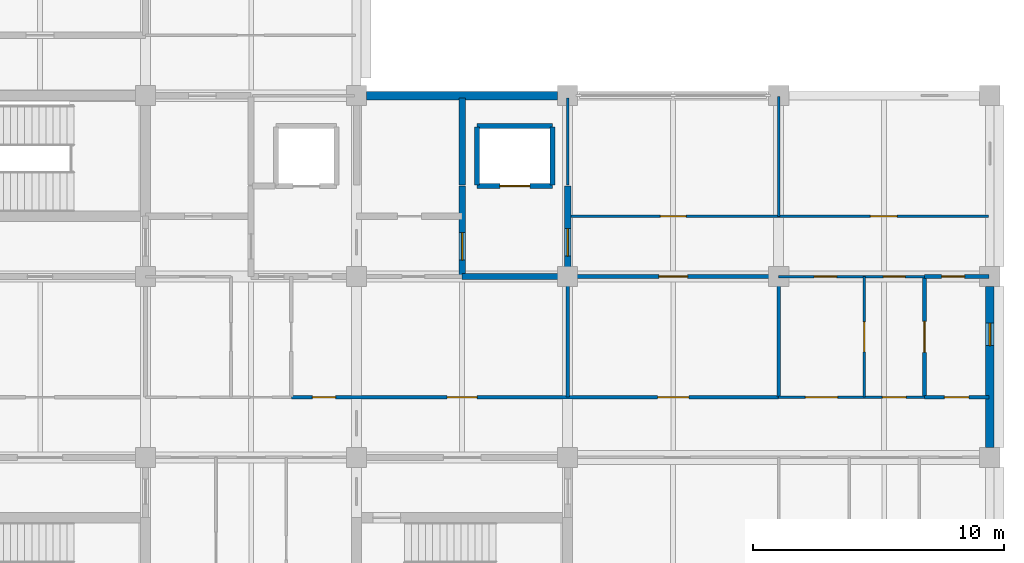
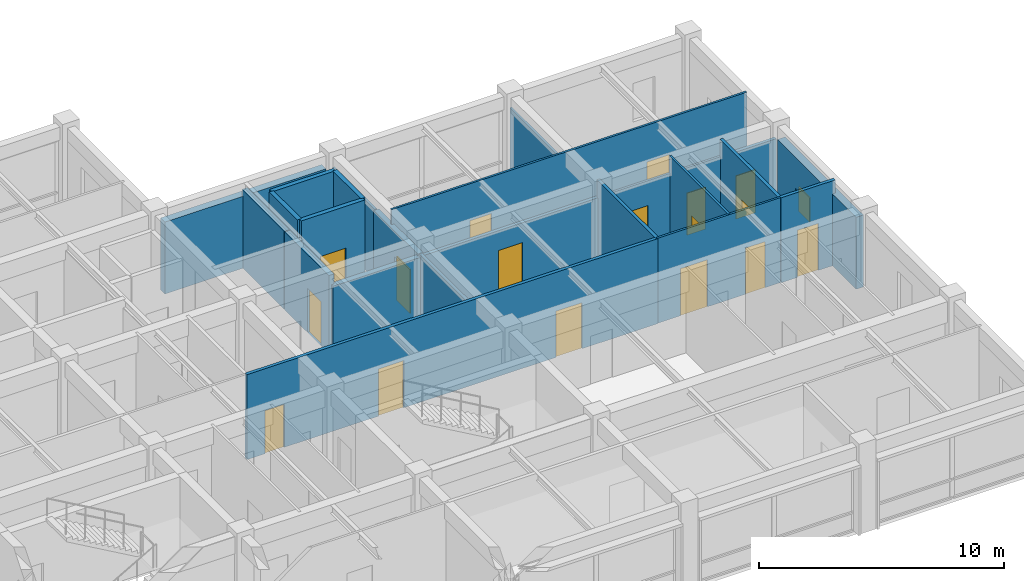
# One storey, part 25 of 30: 23 walls, 17 doors, 1 window, 18 openings.
"""IFC4 building model written with IfcOpenShell, lengths in metres."""

from ifc_helpers import new_model, si_unit, direction, frame, frame_2d, origin, place, context, subcontext, project, spatial, rectangle, extrude, material, layer, layer_set, type_object, element, fill, save


model = new_model("IFC4")

# Units and contexts
model_context = context("Model", 3, precision=1e-05, world=origin(), true_north=direction((0.0, 1.0)))
body_context = subcontext(model_context, "Body", "Model", "MODEL_VIEW")
ifc_project = project(units=[si_unit("LENGTHUNIT", "METRE"), si_unit("AREAUNIT", "SQUARE_METRE"), si_unit("VOLUMEUNIT", "CUBIC_METRE"), si_unit("PLANEANGLEUNIT", "RADIAN"), si_unit("MASSUNIT", "GRAM", prefix="KILO")], contexts=[model_context])

# Site, building, storey
site_placement = place(None, origin())
site = spatial("IfcSite", under=ifc_project, at=site_placement, CompositionType="ELEMENT")
building_placement = place(site_placement, origin())
building = spatial("IfcBuilding", under=site, at=building_placement, Name="Chengyuan Square Courthouse", CompositionType="ELEMENT")
storey_placement = place(building_placement, frame((0.0, 0.0, 26.10009765625)))
storey = spatial("IfcBuildingStorey", under=building, at=storey_placement, Name="L06", CompositionType="ELEMENT", Elevation=26.10009765625)

# Wall
ifc_material_1 = material(Name="Concrete C40", Category="concrete")
ifc_layer_1 = layer(ifc_material_1, 0.35009765625)
ifc_layer_set_1 = layer_set([ifc_layer_1], Name="Concrete C40")
wall_type_1 = type_object("IfcWallType", Name="WL-EW2", PredefinedType="STANDARD", material=ifc_layer_set_1)
wall_1_placement = place(storey_placement, frame((117.9951171875, 108.0, 0.0), z_axis=(0.0, 0.0, 1.0), x_axis=(1.0, 0.0, 0.0)))
element("IfcWall", 1, at=wall_1_placement, inside=storey, type_object=wall_type_1, Name="Exterior Wall WL-L06-E371", PredefinedType="STANDARD", context=body_context, shape_type="SweptSolid", body=[
    extrude(rectangle(XDim=7.60986328125, YDim=0.35009765625, at=frame_2d((3.804931640625, 0.0))), origin(), (0.0, 0.0, 1.0), 3.58984375),
])

# Wall, opening, window
wall_2_placement = place(storey_placement, frame((142.800048828125, 93.9951171875, 0.0), z_axis=(0.0, 0.0, 1.0), x_axis=(0.0, 1.0, 0.0)))
wall_2 = element("IfcWall", 2, at=wall_2_placement, inside=storey, type_object=wall_type_1, Name="Exterior Wall WL-L06-E374", PredefinedType="STANDARD", context=body_context, shape_type="SweptSolid", body=[
    extrude(rectangle(XDim=6.409912109375, YDim=0.35009765625, at=frame_2d((3.205078125, 0.0))), origin(), (0.0, 0.0, 1.0), 3.58984375),
])
opening_1_placement = place(wall_2_placement, frame((4.054931640625, 0.0, 0.85009765625)))
opening_1 = element("IfcOpeningElement", 3, at=opening_1_placement, cuts=wall_2, Name="Opening WN-136", PredefinedType="OPENING", context=body_context, shape_type="SweptSolid", body=[
    extrude(rectangle(XDim=0.89990234375, YDim=1.199951171875, at=frame_2d((0.449951171875, 0.60009765625))), frame((0.0, 0.18701171875, 0.0), z_axis=(0.0, -1.0, 0.0), x_axis=(1.0, 0.0, 0.0)), (0.0, 0.0, 1.0), 0.3740234375),
])
ifc_material_2 = material(Name="Thermally Broken Aluminium Triple Low-E Window", Category="aluminium")
window_type = type_object("IfcWindowType", Name="WT-01", PartitioningType="SINGLE_PANEL", PredefinedType="WINDOW", material=ifc_material_2)
window_placement = place(opening_1_placement, origin())
window = element("IfcWindow", 4, at=window_placement, inside=storey, type_object=window_type, Name="Facade Window WN-136", OverallHeight=1.199951171875, OverallWidth=0.89990234375, PartitioningType="SINGLE_PANEL", PredefinedType="WINDOW", context=body_context, shape_type="SweptSolid", body=[
    extrude(rectangle(XDim=0.89990234375, YDim=1.199951171875, at=frame_2d((0.449951171875, 0.60009765625))), frame((0.0, 0.030029296875, 0.0), z_axis=(0.0, -1.0, 0.0), x_axis=(1.0, 0.0, 0.0)), (0.0, 0.0, 1.0), 0.06005859375),
])
fill(opening_1, window)

# Wall
ifc_layer_2 = layer(ifc_material_1, 0.25)
ifc_layer_set_2 = layer_set([ifc_layer_2], Name="Concrete C40")
wall_type_2 = type_object("IfcWallType", Name="WL-FW1", PredefinedType="STANDARD", material=ifc_layer_set_2)
wall_3_placement = place(storey_placement, frame((121.800048828125, 100.800048828125, 0.0), z_axis=(0.0, 0.0, 1.0), x_axis=(1.0, 0.0, 0.0)))
element("IfcWall", 5, at=wall_3_placement, inside=storey, type_object=wall_type_2, Name="Interior Wall WL-L06-I2425", PredefinedType="STANDARD", context=body_context, shape_type="SweptSolid", body=[
    extrude(rectangle(XDim=4.199951171875, YDim=0.25, at=frame_2d((2.10009765625, 0.0))), origin(), (0.0, 0.0, 1.0), 3.389892578125),
])

# Wall, opening, door
wall_4_placement = place(storey_placement, frame((121.800048828125, 100.800048828125, 0.0), z_axis=(0.0, 0.0, 1.0), x_axis=(0.0, 1.0, 0.0)))
wall_4 = element("IfcWall", 6, at=wall_4_placement, inside=storey, type_object=wall_type_2, Name="Interior Wall WL-L06-I2599", PredefinedType="STANDARD", context=body_context, shape_type="SweptSolid", body=[
    extrude(rectangle(XDim=3.599853515625, YDim=0.25, at=frame_2d((1.7998046875, 0.0))), origin(), (0.0, 0.0, 1.0), 3.889892578125),
])
opening_2_placement = place(wall_4_placement, frame((0.64990234375, 0.0, 0.0)))
opening_2 = element("IfcOpeningElement", 7, at=opening_2_placement, cuts=wall_4, Name="Opening DR-2151", PredefinedType="OPENING", context=body_context, shape_type="SweptSolid", body=[
    extrude(rectangle(XDim=1.10009765625, YDim=2.199951171875, at=frame_2d((0.550048828125, 1.10009765625))), frame((0.0, 0.136962890625, 0.0), z_axis=(0.0, -1.0, 0.0), x_axis=(1.0, 0.0, 0.0)), (0.0, 0.0, 1.0), 0.27392578125),
])
ifc_material_3 = material(Name="Steel Q235B Fire Door", Category="steel")
door_type_1 = type_object("IfcDoorType", Name="DT-10", OperationType="NOTDEFINED", PredefinedType="DOOR", material=ifc_material_3)
door_1_placement = place(opening_2_placement, origin())
door_1 = element("IfcDoor", 8, at=door_1_placement, inside=storey, type_object=door_type_1, Name="Interior Door DR-2151", OperationType="SINGLE_SWING_LEFT", OverallHeight=2.199951171875, OverallWidth=1.10009765625, PredefinedType="DOOR", context=body_context, shape_type="SweptSolid", body=[
    extrude(rectangle(XDim=1.10009765625, YDim=2.199951171875, at=frame_2d((0.550048828125, 1.10009765625))), frame((0.0, 0.02490234375, 0.0), z_axis=(0.0, -1.0, 0.0), x_axis=(1.0, 0.0, 0.0)), (0.0, 0.0, 1.0), 0.050048828125),
])
fill(opening_2, door_1)

# Wall
wall_5_placement = place(storey_placement, frame((121.800048828125, 104.449951171875, 0.0), z_axis=(0.0, 0.0, 1.0), x_axis=(0.0, 1.0, 0.0)))
element("IfcWall", 9, at=wall_5_placement, inside=storey, type_object=wall_type_2, Name="Interior Wall WL-L06-I2600", PredefinedType="STANDARD", context=body_context, shape_type="SweptSolid", body=[
    extrude(rectangle(XDim=3.4599609375, YDim=0.25, at=frame_2d((1.72998046875, 0.0))), origin(), (0.0, 0.0, 1.0), 3.889892578125),
])

# Wall, opening, door
wall_6_placement = place(storey_placement, frame((126.0, 100.800048828125, 0.0), z_axis=(0.0, 0.0, 1.0), x_axis=(0.0, 1.0, 0.0)))
wall_6 = element("IfcWall", 10, at=wall_6_placement, inside=storey, type_object=wall_type_2, Name="Interior Wall WL-L06-I2606", PredefinedType="STANDARD", context=body_context, shape_type="SweptSolid", body=[
    extrude(rectangle(XDim=3.599853515625, YDim=0.25, at=frame_2d((1.7998046875, 0.0))), origin(), (0.0, 0.0, 1.0), 3.489990234375),
])
opening_3_placement = place(wall_6_placement, frame((0.81005859375, 0.0, 0.0)))
opening_3 = element("IfcOpeningElement", 11, at=opening_3_placement, cuts=wall_6, Name="Opening DR-2154", PredefinedType="OPENING", context=body_context, shape_type="SweptSolid", body=[
    extrude(rectangle(XDim=1.10009765625, YDim=2.199951171875, at=frame_2d((0.550048828125, 1.10009765625))), frame((0.0, 0.136962890625, 0.0), z_axis=(0.0, -1.0, 0.0), x_axis=(1.0, 0.0, 0.0)), (0.0, 0.0, 1.0), 0.27392578125),
])
door_2_placement = place(opening_3_placement, origin())
door_2 = element("IfcDoor", 12, at=door_2_placement, inside=storey, type_object=door_type_1, Name="Interior Door DR-2154", OperationType="SINGLE_SWING_RIGHT", OverallHeight=2.199951171875, OverallWidth=1.10009765625, PredefinedType="DOOR", context=body_context, shape_type="SweptSolid", body=[
    extrude(rectangle(XDim=1.10009765625, YDim=2.199951171875, at=frame_2d((0.550048828125, 1.10009765625))), frame((0.0, 0.02490234375, 0.0), z_axis=(0.0, -1.0, 0.0), x_axis=(1.0, 0.0, 0.0)), (0.0, 0.0, 1.0), 0.050048828125),
])
fill(opening_3, door_2)

# Wall, openings, doors
ifc_material_4 = material(Name="Deliberation Room Sound-Insulated Partition")
ifc_layer_3 = layer(ifc_material_4, 0.14990234375)
ifc_layer_set_3 = layer_set([ifc_layer_3], Name="Deliberation Room Sound-Insulated Partition")
wall_type_3 = type_object("IfcWallType", Name="WL-PT3", PredefinedType="STANDARD", material=ifc_layer_set_3)
wall_7_placement = place(storey_placement, frame((115.0, 96.0, 0.0), z_axis=(0.0, 0.0, 1.0), x_axis=(1.0, 0.0, 0.0)))
wall_7 = element("IfcWall", 13, at=wall_7_placement, inside=storey, type_object=wall_type_3, Name="Interior Wall WL-L06-I2407", PredefinedType="STANDARD", context=body_context, shape_type="SweptSolid", body=[
    extrude(rectangle(XDim=19.39990234375, YDim=0.14990234375, at=frame_2d((9.699951171875, 0.0))), origin(), (0.0, 0.0, 1.0), 4.239990234375),
])
opening_4_placement = place(wall_7_placement, frame((0.840087890625, 0.0, 0.0)))
opening_4 = element("IfcOpeningElement", 14, at=opening_4_placement, cuts=wall_7, Name="Opening DR-2223", PredefinedType="OPENING", context=body_context, shape_type="SweptSolid", body=[
    extrude(rectangle(XDim=0.919921875, YDim=2.14990234375, at=frame_2d((0.4599609375, 1.074951171875))), frame((0.0, 0.0869140625, 0.0), z_axis=(0.0, -1.0, 0.0), x_axis=(1.0, 0.0, 0.0)), (0.0, 0.0, 1.0), 0.173828125),
])
opening_5_placement = place(wall_7_placement, frame((6.199951171875, 0.0, 0.0)))
opening_5 = element("IfcOpeningElement", 15, at=opening_5_placement, cuts=wall_7, Name="Opening DR-2230", PredefinedType="OPENING", context=body_context, shape_type="SweptSolid", body=[
    extrude(rectangle(XDim=1.199951171875, YDim=2.35009765625, at=frame_2d((0.60009765625, 1.175048828125))), frame((0.0, 0.0869140625, 0.0), z_axis=(0.0, -1.0, 0.0), x_axis=(1.0, 0.0, 0.0)), (0.0, 0.0, 1.0), 0.173828125),
])
opening_6_placement = place(wall_7_placement, frame((14.580078125, 0.0, 0.0)))
opening_6 = element("IfcOpeningElement", 16, at=opening_6_placement, cuts=wall_7, Name="Opening DR-2231", PredefinedType="OPENING", context=body_context, shape_type="SweptSolid", body=[
    extrude(rectangle(XDim=1.239990234375, YDim=2.300048828125, at=frame_2d((0.6201171875, 1.14990234375))), frame((0.0, 0.0869140625, 0.0), z_axis=(0.0, -1.0, 0.0), x_axis=(1.0, 0.0, 0.0)), (0.0, 0.0, 1.0), 0.173828125),
])
ifc_material_5 = material(Name="Acoustic Solid-Core Timber Door", Category="wood")
door_type_2 = type_object("IfcDoorType", Name="DT-29", OperationType="NOTDEFINED", PredefinedType="DOOR", material=ifc_material_5)
door_3_placement = place(opening_4_placement, origin())
door_3 = element("IfcDoor", 17, at=door_3_placement, inside=storey, type_object=door_type_2, Name="Interior Door DR-2223", OperationType="SINGLE_SWING_RIGHT", OverallHeight=2.14990234375, OverallWidth=0.919921875, PredefinedType="DOOR", context=body_context, shape_type="SweptSolid", body=[
    extrude(rectangle(XDim=0.919921875, YDim=2.14990234375, at=frame_2d((0.4599609375, 1.074951171875))), frame((0.0, 0.02490234375, 0.0), z_axis=(0.0, -1.0, 0.0), x_axis=(1.0, 0.0, 0.0)), (0.0, 0.0, 1.0), 0.050048828125),
])
fill(opening_4, door_3)
door_type_3 = type_object("IfcDoorType", Name="DT-36", OperationType="NOTDEFINED", PredefinedType="DOOR", material=ifc_material_5)
door_4_placement = place(opening_5_placement, origin())
door_4 = element("IfcDoor", 18, at=door_4_placement, inside=storey, type_object=door_type_3, Name="Interior Door DR-2230", OperationType="SINGLE_SWING_LEFT", OverallHeight=2.35009765625, OverallWidth=1.199951171875, PredefinedType="DOOR", context=body_context, shape_type="SweptSolid", body=[
    extrude(rectangle(XDim=1.199951171875, YDim=2.35009765625, at=frame_2d((0.60009765625, 1.175048828125))), frame((0.0, 0.02490234375, 0.0), z_axis=(0.0, -1.0, 0.0), x_axis=(1.0, 0.0, 0.0)), (0.0, 0.0, 1.0), 0.050048828125),
])
fill(opening_5, door_4)
door_type_4 = type_object("IfcDoorType", Name="DT-37", OperationType="NOTDEFINED", PredefinedType="DOOR", material=ifc_material_5)
door_5_placement = place(opening_6_placement, origin())
door_5 = element("IfcDoor", 19, at=door_5_placement, inside=storey, type_object=door_type_4, Name="Interior Door DR-2231", OperationType="SINGLE_SWING_RIGHT", OverallHeight=2.300048828125, OverallWidth=1.239990234375, PredefinedType="DOOR", context=body_context, shape_type="SweptSolid", body=[
    extrude(rectangle(XDim=1.239990234375, YDim=2.300048828125, at=frame_2d((0.6201171875, 1.14990234375))), frame((0.0, 0.02490234375, 0.0), z_axis=(0.0, -1.0, 0.0), x_axis=(1.0, 0.0, 0.0)), (0.0, 0.0, 1.0), 0.050048828125),
])
fill(opening_6, door_5)

# Wall, opening, door
wall_8_placement = place(storey_placement, frame((140.199951171875, 96.0, 0.0), z_axis=(0.0, 0.0, 1.0), x_axis=(1.0, 0.0, 0.0)))
wall_8 = element("IfcWall", 20, at=wall_8_placement, inside=storey, type_object=wall_type_3, Name="Interior Wall WL-L06-I2409", PredefinedType="STANDARD", context=body_context, shape_type="SweptSolid", body=[
    extrude(rectangle(XDim=2.56005859375, YDim=0.14990234375, at=frame_2d((1.280029296875, 0.0))), origin(), (0.0, 0.0, 1.0), 4.239990234375),
])
opening_7_placement = place(wall_8_placement, frame((0.7900390625, 0.0, 0.0)))
opening_7 = element("IfcOpeningElement", 21, at=opening_7_placement, cuts=wall_8, Name="Opening DR-2234", PredefinedType="OPENING", context=body_context, shape_type="SweptSolid", body=[
    extrude(rectangle(XDim=0.97998046875, YDim=2.35009765625, at=frame_2d((0.489990234375, 1.175048828125))), frame((0.0, 0.0869140625, 0.0), z_axis=(0.0, -1.0, 0.0), x_axis=(1.0, 0.0, 0.0)), (0.0, 0.0, 1.0), 0.173828125),
])
door_type_5 = type_object("IfcDoorType", Name="DT-40", OperationType="NOTDEFINED", PredefinedType="DOOR", material=ifc_material_5)
door_6_placement = place(opening_7_placement, origin())
door_6 = element("IfcDoor", 22, at=door_6_placement, inside=storey, type_object=door_type_5, Name="Interior Door DR-2234", OperationType="SINGLE_SWING_LEFT", OverallHeight=2.35009765625, OverallWidth=0.97998046875, PredefinedType="DOOR", context=body_context, shape_type="SweptSolid", body=[
    extrude(rectangle(XDim=0.97998046875, YDim=2.35009765625, at=frame_2d((0.489990234375, 1.175048828125))), frame((0.0, 0.02490234375, 0.0), z_axis=(0.0, -1.0, 0.0), x_axis=(1.0, 0.0, 0.0)), (0.0, 0.0, 1.0), 0.050048828125),
])
fill(opening_7, door_6)

wall_9_placement = place(storey_placement, frame((126.0, 100.800048828125, 0.0), z_axis=(0.0, 0.0, 1.0), x_axis=(1.0, 0.0, 0.0)))
wall_9 = element("IfcWall", 23, at=wall_9_placement, inside=storey, type_object=wall_type_3, Name="Interior Wall WL-L06-I2426", PredefinedType="STANDARD", context=body_context, shape_type="SweptSolid", body=[
    extrude(rectangle(XDim=8.39990234375, YDim=0.14990234375, at=frame_2d((4.199951171875, 0.0))), origin(), (0.0, 0.0, 1.0), 3.389892578125),
])
opening_8_placement = place(wall_9_placement, frame((3.6298828125, 0.0, 0.0)))
opening_8 = element("IfcOpeningElement", 24, at=opening_8_placement, cuts=wall_9, Name="Opening DR-2186", PredefinedType="OPENING", context=body_context, shape_type="SweptSolid", body=[
    extrude(rectangle(XDim=1.139892578125, YDim=2.39990234375, at=frame_2d((0.56982421875, 1.199951171875))), frame((0.0, 0.0869140625, 0.0), z_axis=(0.0, -1.0, 0.0), x_axis=(1.0, 0.0, 0.0)), (0.0, 0.0, 1.0), 0.173828125),
])
door_type_6 = type_object("IfcDoorType", Name="DT-43", OperationType="NOTDEFINED", PredefinedType="DOOR", material=ifc_material_5)
door_7_placement = place(opening_8_placement, origin())
door_7 = element("IfcDoor", 25, at=door_7_placement, inside=storey, type_object=door_type_6, Name="Interior Door DR-2186", OperationType="SINGLE_SWING_LEFT", OverallHeight=2.39990234375, OverallWidth=1.139892578125, PredefinedType="DOOR", context=body_context, shape_type="SweptSolid", body=[
    extrude(rectangle(XDim=1.139892578125, YDim=2.39990234375, at=frame_2d((0.56982421875, 1.199951171875))), frame((0.0, 0.02490234375, 0.0), z_axis=(0.0, -1.0, 0.0), x_axis=(1.0, 0.0, 0.0)), (0.0, 0.0, 1.0), 0.050048828125),
])
fill(opening_8, door_7)

wall_10_placement = place(storey_placement, frame((140.199951171875, 100.800048828125, 0.0), z_axis=(0.0, 0.0, 1.0), x_axis=(1.0, 0.0, 0.0)))
wall_10 = element("IfcWall", 26, at=wall_10_placement, inside=storey, type_object=wall_type_3, Name="Interior Wall WL-L06-I2428", PredefinedType="STANDARD", context=body_context, shape_type="SweptSolid", body=[
    extrude(rectangle(XDim=2.56005859375, YDim=0.14990234375, at=frame_2d((1.280029296875, 0.0))), origin(), (0.0, 0.0, 1.0), 3.389892578125),
])
opening_9_placement = place(wall_10_placement, frame((0.679931640625, 0.0, 0.0)))
opening_9 = element("IfcOpeningElement", 27, at=opening_9_placement, cuts=wall_10, Name="Opening DR-2189", PredefinedType="OPENING", context=body_context, shape_type="SweptSolid", body=[
    extrude(rectangle(XDim=0.919921875, YDim=2.14990234375, at=frame_2d((0.4599609375, 1.074951171875))), frame((0.0, 0.0869140625, 0.0), z_axis=(0.0, -1.0, 0.0), x_axis=(1.0, 0.0, 0.0)), (0.0, 0.0, 1.0), 0.173828125),
])
door_8_placement = place(opening_9_placement, origin())
door_8 = element("IfcDoor", 28, at=door_8_placement, inside=storey, type_object=door_type_2, Name="Interior Door DR-2189", OperationType="SINGLE_SWING_RIGHT", OverallHeight=2.14990234375, OverallWidth=0.919921875, PredefinedType="DOOR", context=body_context, shape_type="SweptSolid", body=[
    extrude(rectangle(XDim=0.919921875, YDim=2.14990234375, at=frame_2d((0.4599609375, 1.074951171875))), frame((0.0, 0.02490234375, 0.0), z_axis=(0.0, -1.0, 0.0), x_axis=(1.0, 0.0, 0.0)), (0.0, 0.0, 1.0), 0.050048828125),
])
fill(opening_9, door_8)

# Walls
wall_11_placement = place(storey_placement, frame((126.0, 96.0, 0.0), z_axis=(0.0, 0.0, 1.0), x_axis=(0.0, 1.0, 0.0)))
element("IfcWall", 29, at=wall_11_placement, inside=storey, type_object=wall_type_3, Name="Interior Wall WL-L06-I2605", PredefinedType="STANDARD", context=body_context, shape_type="SweptSolid", body=[
    extrude(rectangle(XDim=4.800048828125, YDim=0.14990234375, at=frame_2d((2.39990234375, 0.0))), origin(), (0.0, 0.0, 1.0), 3.489990234375),
])
wall_12_placement = place(storey_placement, frame((134.39990234375, 96.0, 0.0), z_axis=(0.0, 0.0, 1.0), x_axis=(0.0, 1.0, 0.0)))
element("IfcWall", 30, at=wall_12_placement, inside=storey, type_object=wall_type_3, Name="Interior Wall WL-L06-I2610", PredefinedType="STANDARD", context=body_context, shape_type="SweptSolid", body=[
    extrude(rectangle(XDim=4.800048828125, YDim=0.14990234375, at=frame_2d((2.39990234375, 0.0))), origin(), (0.0, 0.0, 1.0), 4.239990234375),
])

# Wall, opening, door
wall_13_placement = place(storey_placement, frame((140.199951171875, 96.0, 0.0), z_axis=(0.0, 0.0, 1.0), x_axis=(0.0, 1.0, 0.0)))
wall_13 = element("IfcWall", 31, at=wall_13_placement, inside=storey, type_object=wall_type_3, Name="Interior Wall WL-L06-I2615", PredefinedType="STANDARD", context=body_context, shape_type="SweptSolid", body=[
    extrude(rectangle(XDim=4.800048828125, YDim=0.14990234375, at=frame_2d((2.39990234375, 0.0))), origin(), (0.0, 0.0, 1.0), 4.239990234375),
])
opening_10_placement = place(wall_13_placement, frame((1.780029296875, 0.0, 0.0)))
opening_10 = element("IfcOpeningElement", 32, at=opening_10_placement, cuts=wall_13, Name="Opening DR-2248", PredefinedType="OPENING", context=body_context, shape_type="SweptSolid", body=[
    extrude(rectangle(XDim=1.239990234375, YDim=2.300048828125, at=frame_2d((0.6201171875, 1.14990234375))), frame((0.0, 0.0869140625, 0.0), z_axis=(0.0, -1.0, 0.0), x_axis=(1.0, 0.0, 0.0)), (0.0, 0.0, 1.0), 0.173828125),
])
door_9_placement = place(opening_10_placement, origin())
door_9 = element("IfcDoor", 33, at=door_9_placement, inside=storey, type_object=door_type_4, Name="Interior Door DR-2248", OperationType="SINGLE_SWING_RIGHT", OverallHeight=2.300048828125, OverallWidth=1.239990234375, PredefinedType="DOOR", context=body_context, shape_type="SweptSolid", body=[
    extrude(rectangle(XDim=1.239990234375, YDim=2.300048828125, at=frame_2d((0.6201171875, 1.14990234375))), frame((0.0, 0.02490234375, 0.0), z_axis=(0.0, -1.0, 0.0), x_axis=(1.0, 0.0, 0.0)), (0.0, 0.0, 1.0), 0.050048828125),
])
fill(opening_10, door_9)

# Wall, openings, doors
ifc_material_6 = material(Name="Gypsum Plasterboard Acoustic Stud Partition")
ifc_layer_4 = layer(ifc_material_6, 0.10009765625)
ifc_layer_set_4 = layer_set([ifc_layer_4], Name="Gypsum Plasterboard Acoustic Stud Partition")
wall_type_4 = type_object("IfcWallType", Name="WL-PT6", PredefinedType="STANDARD", material=ifc_layer_set_4)
wall_14_placement = place(storey_placement, frame((134.39990234375, 96.0, 0.0), z_axis=(0.0, 0.0, 1.0), x_axis=(1.0, 0.0, 0.0)))
wall_14 = element("IfcWall", 34, at=wall_14_placement, inside=storey, type_object=wall_type_4, Name="Interior Wall WL-L06-I2408", PredefinedType="STANDARD", context=body_context, shape_type="SweptSolid", body=[
    extrude(rectangle(XDim=5.800048828125, YDim=0.10009765625, at=frame_2d((2.89990234375, 0.0))), origin(), (0.0, 0.0, 1.0), 4.239990234375),
])
opening_11_placement = place(wall_14_placement, frame((1.06005859375, 0.0, 0.0)))
opening_11 = element("IfcOpeningElement", 35, at=opening_11_placement, cuts=wall_14, Name="Opening DR-2232", PredefinedType="OPENING", context=body_context, shape_type="SweptSolid", body=[
    extrude(rectangle(XDim=1.280029296875, YDim=2.35009765625, at=frame_2d((0.64013671875, 1.175048828125))), frame((0.0, 0.06201171875, 0.0), z_axis=(0.0, -1.0, 0.0), x_axis=(1.0, 0.0, 0.0)), (0.0, 0.0, 1.0), 0.1240234375),
])
opening_12_placement = place(wall_14_placement, frame((4.1298828125, 0.0, 0.0)))
opening_12 = element("IfcOpeningElement", 36, at=opening_12_placement, cuts=wall_14, Name="Opening DR-2233", PredefinedType="OPENING", context=body_context, shape_type="SweptSolid", body=[
    extrude(rectangle(XDim=0.93994140625, YDim=2.300048828125, at=frame_2d((0.469970703125, 1.14990234375))), frame((0.0, 0.06201171875, 0.0), z_axis=(0.0, -1.0, 0.0), x_axis=(1.0, 0.0, 0.0)), (0.0, 0.0, 1.0), 0.1240234375),
])
door_type_7 = type_object("IfcDoorType", Name="DT-38", OperationType="NOTDEFINED", PredefinedType="DOOR", material=ifc_material_5)
door_10_placement = place(opening_11_placement, origin())
door_10 = element("IfcDoor", 37, at=door_10_placement, inside=storey, type_object=door_type_7, Name="Interior Door DR-2232", OperationType="SINGLE_SWING_LEFT", OverallHeight=2.35009765625, OverallWidth=1.280029296875, PredefinedType="DOOR", context=body_context, shape_type="SweptSolid", body=[
    extrude(rectangle(XDim=1.280029296875, YDim=2.35009765625, at=frame_2d((0.64013671875, 1.175048828125))), frame((0.0, 0.02490234375, 0.0), z_axis=(0.0, -1.0, 0.0), x_axis=(1.0, 0.0, 0.0)), (0.0, 0.0, 1.0), 0.050048828125),
])
fill(opening_11, door_10)
door_type_8 = type_object("IfcDoorType", Name="DT-39", OperationType="NOTDEFINED", PredefinedType="DOOR", material=ifc_material_5)
door_11_placement = place(opening_12_placement, origin())
door_11 = element("IfcDoor", 38, at=door_11_placement, inside=storey, type_object=door_type_8, Name="Interior Door DR-2233", OperationType="SINGLE_SWING_RIGHT", OverallHeight=2.300048828125, OverallWidth=0.93994140625, PredefinedType="DOOR", context=body_context, shape_type="SweptSolid", body=[
    extrude(rectangle(XDim=0.93994140625, YDim=2.300048828125, at=frame_2d((0.469970703125, 1.14990234375))), frame((0.0, 0.02490234375, 0.0), z_axis=(0.0, -1.0, 0.0), x_axis=(1.0, 0.0, 0.0)), (0.0, 0.0, 1.0), 0.050048828125),
])
fill(opening_12, door_11)

wall_15_placement = place(storey_placement, frame((134.39990234375, 100.800048828125, 0.0), z_axis=(0.0, 0.0, 1.0), x_axis=(1.0, 0.0, 0.0)))
wall_15 = element("IfcWall", 39, at=wall_15_placement, inside=storey, type_object=wall_type_4, Name="Interior Wall WL-L06-I2427", PredefinedType="STANDARD", context=body_context, shape_type="SweptSolid", body=[
    extrude(rectangle(XDim=5.800048828125, YDim=0.10009765625, at=frame_2d((2.89990234375, 0.0))), origin(), (0.0, 0.0, 1.0), 3.389892578125),
])
opening_13_placement = place(wall_15_placement, frame((1.409912109375, 0.0, 0.0)))
opening_13 = element("IfcOpeningElement", 40, at=opening_13_placement, cuts=wall_15, Name="Opening DR-2187", PredefinedType="OPENING", context=body_context, shape_type="SweptSolid", body=[
    extrude(rectangle(XDim=0.89990234375, YDim=2.14990234375, at=frame_2d((0.449951171875, 1.074951171875))), frame((0.0, 0.06201171875, 0.0), z_axis=(0.0, -1.0, 0.0), x_axis=(1.0, 0.0, 0.0)), (0.0, 0.0, 1.0), 0.1240234375),
])
opening_14_placement = place(wall_15_placement, frame((4.169921875, 0.0, 0.0)))
opening_14 = element("IfcOpeningElement", 41, at=opening_14_placement, cuts=wall_15, Name="Opening DR-2188", PredefinedType="OPENING", context=body_context, shape_type="SweptSolid", body=[
    extrude(rectangle(XDim=0.860107421875, YDim=2.10009765625, at=frame_2d((0.43017578125, 1.050048828125))), frame((0.0, 0.06201171875, 0.0), z_axis=(0.0, -1.0, 0.0), x_axis=(1.0, 0.0, 0.0)), (0.0, 0.0, 1.0), 0.1240234375),
])
door_type_9 = type_object("IfcDoorType", Name="DT-27", OperationType="NOTDEFINED", PredefinedType="DOOR", material=ifc_material_5)
door_12_placement = place(opening_13_placement, origin())
door_12 = element("IfcDoor", 42, at=door_12_placement, inside=storey, type_object=door_type_9, Name="Interior Door DR-2187", OperationType="SINGLE_SWING_RIGHT", OverallHeight=2.14990234375, OverallWidth=0.89990234375, PredefinedType="DOOR", context=body_context, shape_type="SweptSolid", body=[
    extrude(rectangle(XDim=0.89990234375, YDim=2.14990234375, at=frame_2d((0.449951171875, 1.074951171875))), frame((0.0, 0.02490234375, 0.0), z_axis=(0.0, -1.0, 0.0), x_axis=(1.0, 0.0, 0.0)), (0.0, 0.0, 1.0), 0.050048828125),
])
fill(opening_13, door_12)
door_type_10 = type_object("IfcDoorType", Name="DT-28", OperationType="NOTDEFINED", PredefinedType="DOOR", material=ifc_material_5)
door_13_placement = place(opening_14_placement, origin())
door_13 = element("IfcDoor", 43, at=door_13_placement, inside=storey, type_object=door_type_10, Name="Interior Door DR-2188", OperationType="SINGLE_SWING_LEFT", OverallHeight=2.10009765625, OverallWidth=0.860107421875, PredefinedType="DOOR", context=body_context, shape_type="SweptSolid", body=[
    extrude(rectangle(XDim=0.860107421875, YDim=2.10009765625, at=frame_2d((0.43017578125, 1.050048828125))), frame((0.0, 0.02490234375, 0.0), z_axis=(0.0, -1.0, 0.0), x_axis=(1.0, 0.0, 0.0)), (0.0, 0.0, 1.0), 0.050048828125),
])
fill(opening_14, door_13)

wall_16_placement = place(storey_placement, frame((126.0, 103.199951171875, 0.0), z_axis=(0.0, 0.0, 1.0), x_axis=(1.0, 0.0, 0.0)))
wall_16 = element("IfcWall", 44, at=wall_16_placement, inside=storey, type_object=wall_type_4, Name="Interior Wall WL-L06-I2438", PredefinedType="STANDARD", context=body_context, shape_type="SweptSolid", body=[
    extrude(rectangle(XDim=16.760009765625, YDim=0.10009765625, at=frame_2d((8.3798828125, 0.0))), origin(), (0.0, 0.0, 1.0), 4.239990234375),
])
opening_15_placement = place(wall_16_placement, frame((3.68994140625, 0.0, 0.0)))
opening_15 = element("IfcOpeningElement", 45, at=opening_15_placement, cuts=wall_16, Name="Opening DR-2184", PredefinedType="OPENING", context=body_context, shape_type="SweptSolid", body=[
    extrude(rectangle(XDim=1.02001953125, YDim=2.39990234375, at=frame_2d((0.510009765625, 1.199951171875))), frame((0.0, 0.06201171875, 0.0), z_axis=(0.0, -1.0, 0.0), x_axis=(1.0, 0.0, 0.0)), (0.0, 0.0, 1.0), 0.1240234375),
])
opening_16_placement = place(wall_16_placement, frame((12.050048828125, 0.0, 0.0)))
opening_16 = element("IfcOpeningElement", 46, at=opening_16_placement, cuts=wall_16, Name="Opening DR-2185", PredefinedType="OPENING", context=body_context, shape_type="SweptSolid", body=[
    extrude(rectangle(XDim=1.06005859375, YDim=2.39990234375, at=frame_2d((0.530029296875, 1.199951171875))), frame((0.0, 0.06201171875, 0.0), z_axis=(0.0, -1.0, 0.0), x_axis=(1.0, 0.0, 0.0)), (0.0, 0.0, 1.0), 0.1240234375),
])
door_type_11 = type_object("IfcDoorType", Name="DT-41", OperationType="NOTDEFINED", PredefinedType="DOOR", material=ifc_material_5)
door_14_placement = place(opening_15_placement, origin())
door_14 = element("IfcDoor", 47, at=door_14_placement, inside=storey, type_object=door_type_11, Name="Interior Door DR-2184", OperationType="SINGLE_SWING_LEFT", OverallHeight=2.39990234375, OverallWidth=1.02001953125, PredefinedType="DOOR", context=body_context, shape_type="SweptSolid", body=[
    extrude(rectangle(XDim=1.02001953125, YDim=2.39990234375, at=frame_2d((0.510009765625, 1.199951171875))), frame((0.0, 0.02490234375, 0.0), z_axis=(0.0, -1.0, 0.0), x_axis=(1.0, 0.0, 0.0)), (0.0, 0.0, 1.0), 0.050048828125),
])
fill(opening_15, door_14)
door_type_12 = type_object("IfcDoorType", Name="DT-42", OperationType="NOTDEFINED", PredefinedType="DOOR", material=ifc_material_5)
door_15_placement = place(opening_16_placement, origin())
door_15 = element("IfcDoor", 48, at=door_15_placement, inside=storey, type_object=door_type_12, Name="Interior Door DR-2185", OperationType="SINGLE_SWING_RIGHT", OverallHeight=2.39990234375, OverallWidth=1.06005859375, PredefinedType="DOOR", context=body_context, shape_type="SweptSolid", body=[
    extrude(rectangle(XDim=1.06005859375, YDim=2.39990234375, at=frame_2d((0.530029296875, 1.199951171875))), frame((0.0, 0.02490234375, 0.0), z_axis=(0.0, -1.0, 0.0), x_axis=(1.0, 0.0, 0.0)), (0.0, 0.0, 1.0), 0.050048828125),
])
fill(opening_16, door_15)

# Walls
wall_17_placement = place(storey_placement, frame((126.0, 104.449951171875, 0.0), z_axis=(0.0, 0.0, 1.0), x_axis=(0.0, 1.0, 0.0)))
element("IfcWall", 49, at=wall_17_placement, inside=storey, type_object=wall_type_4, Name="Interior Wall WL-L06-I2607", PredefinedType="STANDARD", context=body_context, shape_type="SweptSolid", body=[
    extrude(rectangle(XDim=3.4599609375, YDim=0.10009765625, at=frame_2d((1.72998046875, 0.0))), origin(), (0.0, 0.0, 1.0), 3.489990234375),
])
wall_18_placement = place(storey_placement, frame((134.39990234375, 103.199951171875, 0.0), z_axis=(0.0, 0.0, 1.0), x_axis=(0.0, 1.0, 0.0)))
element("IfcWall", 50, at=wall_18_placement, inside=storey, type_object=wall_type_4, Name="Interior Wall WL-L06-I2611", PredefinedType="STANDARD", context=body_context, shape_type="SweptSolid", body=[
    extrude(rectangle(XDim=4.760009765625, YDim=0.10009765625, at=frame_2d((2.3798828125, 0.0))), origin(), (0.0, 0.0, 1.0), 3.489990234375),
])

# Wall, opening, door
wall_19_placement = place(storey_placement, frame((137.800048828125, 96.0, 0.0), z_axis=(0.0, 0.0, 1.0), x_axis=(0.0, 1.0, 0.0)))
wall_19 = element("IfcWall", 51, at=wall_19_placement, inside=storey, type_object=wall_type_4, Name="Interior Wall WL-L06-I2613", PredefinedType="STANDARD", context=body_context, shape_type="SweptSolid", body=[
    extrude(rectangle(XDim=4.800048828125, YDim=0.10009765625, at=frame_2d((2.39990234375, 0.0))), origin(), (0.0, 0.0, 1.0), 4.239990234375),
])
opening_17_placement = place(wall_19_placement, frame((1.800048828125, 0.0, 0.0)))
opening_17 = element("IfcOpeningElement", 52, at=opening_17_placement, cuts=wall_19, Name="Opening DR-2247", PredefinedType="OPENING", context=body_context, shape_type="SweptSolid", body=[
    extrude(rectangle(XDim=1.199951171875, YDim=2.35009765625, at=frame_2d((0.60009765625, 1.175048828125))), frame((0.0, 0.06201171875, 0.0), z_axis=(0.0, -1.0, 0.0), x_axis=(1.0, 0.0, 0.0)), (0.0, 0.0, 1.0), 0.1240234375),
])
door_16_placement = place(opening_17_placement, origin())
door_16 = element("IfcDoor", 53, at=door_16_placement, inside=storey, type_object=door_type_3, Name="Interior Door DR-2247", OperationType="SINGLE_SWING_LEFT", OverallHeight=2.35009765625, OverallWidth=1.199951171875, PredefinedType="DOOR", context=body_context, shape_type="SweptSolid", body=[
    extrude(rectangle(XDim=1.199951171875, YDim=2.35009765625, at=frame_2d((0.60009765625, 1.175048828125))), frame((0.0, 0.02490234375, 0.0), z_axis=(0.0, -1.0, 0.0), x_axis=(1.0, 0.0, 0.0)), (0.0, 0.0, 1.0), 0.050048828125),
])
fill(opening_17, door_16)

ifc_material_7 = material(Name="Reinforced Masonry Shaft Enclosure", Category="masonry")
ifc_layer_5 = layer(ifc_material_7, 0.199951171875)
ifc_layer_set_5 = layer_set([ifc_layer_5], Name="Reinforced Masonry Shaft Enclosure")
wall_type_5 = type_object("IfcWallType", Name="WL-SH1", PredefinedType="STANDARD", material=ifc_layer_set_5)
wall_20_placement = place(storey_placement, frame((122.39990234375, 104.39990234375, 0.0), z_axis=(0.0, 0.0, 1.0), x_axis=(1.0, 0.0, 0.0)))
wall_20 = element("IfcWall", 54, at=wall_20_placement, inside=storey, type_object=wall_type_5, Name="Interior Wall WL-L06-I2451", PredefinedType="STANDARD", context=body_context, shape_type="SweptSolid", body=[
    extrude(rectangle(XDim=3.0, YDim=0.199951171875, at=frame_2d((1.5, 0.0))), origin(), (0.0, 0.0, 1.0), 4.239990234375),
])
opening_18_placement = place(wall_20_placement, frame((0.89990234375, 0.0, 0.0)))
opening_18 = element("IfcOpeningElement", 55, at=opening_18_placement, cuts=wall_20, Name="Opening LD-104", PredefinedType="OPENING", context=body_context, shape_type="SweptSolid", body=[
    extrude(rectangle(XDim=1.199951171875, YDim=2.14990234375, at=frame_2d((0.60009765625, 1.074951171875))), frame((0.0, 0.112060546875, 0.0), z_axis=(0.0, -1.0, 0.0), x_axis=(1.0, 0.0, 0.0)), (0.0, 0.0, 1.0), 0.223876953125),
])
ifc_material_8 = material(Name="Stainless Steel S30408 Lift Landing Door", Category="steel")
door_type_13 = type_object("IfcDoorType", Name="DT-05", OperationType="DOUBLE_DOOR_SLIDING", PredefinedType="DOOR", material=ifc_material_8)
door_17_placement = place(opening_18_placement, origin())
door_17 = element("IfcDoor", 56, at=door_17_placement, inside=storey, type_object=door_type_13, Name="Lift Landing Door LF-F4 L06", OperationType="DOUBLE_DOOR_SLIDING", OverallHeight=2.14990234375, OverallWidth=1.199951171875, PredefinedType="DOOR", context=body_context, shape_type="SweptSolid", body=[
    extrude(rectangle(XDim=1.199951171875, YDim=2.14990234375, at=frame_2d((0.60009765625, 1.074951171875))), frame((0.0, 0.02490234375, 0.0), z_axis=(0.0, -1.0, 0.0), x_axis=(1.0, 0.0, 0.0)), (0.0, 0.0, 1.0), 0.050048828125),
])
fill(opening_18, door_17)

# Walls
wall_21_placement = place(storey_placement, frame((122.39990234375, 106.800048828125, 0.0), z_axis=(0.0, 0.0, 1.0), x_axis=(1.0, 0.0, 0.0)))
element("IfcWall", 57, at=wall_21_placement, inside=storey, type_object=wall_type_5, Name="Interior Wall WL-L06-I2461", PredefinedType="STANDARD", context=body_context, shape_type="SweptSolid", body=[
    extrude(rectangle(XDim=3.0, YDim=0.199951171875, at=frame_2d((1.5, 0.0))), origin(), (0.0, 0.0, 1.0), 4.239990234375),
])
for number, where, z_axis, x_axis, name in (
    (58, (122.39990234375, 104.449951171875, 0.0), (0.0, 0.0, 1.0), (0.0, 1.0, 0.0), "Interior Wall WL-L06-I2601"),
    (59, (125.39990234375, 104.449951171875, 0.0), (0.0, 0.0, 1.0), (0.0, 1.0, 0.0), "Interior Wall WL-L06-I2602"),
):
    element("IfcWall", number, at=place(storey_placement, frame(where, z_axis=z_axis, x_axis=x_axis)), inside=storey, type_object=wall_type_5, Name=name, PredefinedType="STANDARD", context=body_context, shape_type="SweptSolid", body=[
        extrude(rectangle(XDim=2.300048828125, YDim=0.199951171875, at=frame_2d((1.14990234375, 0.0))), origin(), (0.0, 0.0, 1.0), 4.239990234375),
    ])

save(model, "model.ifc")
